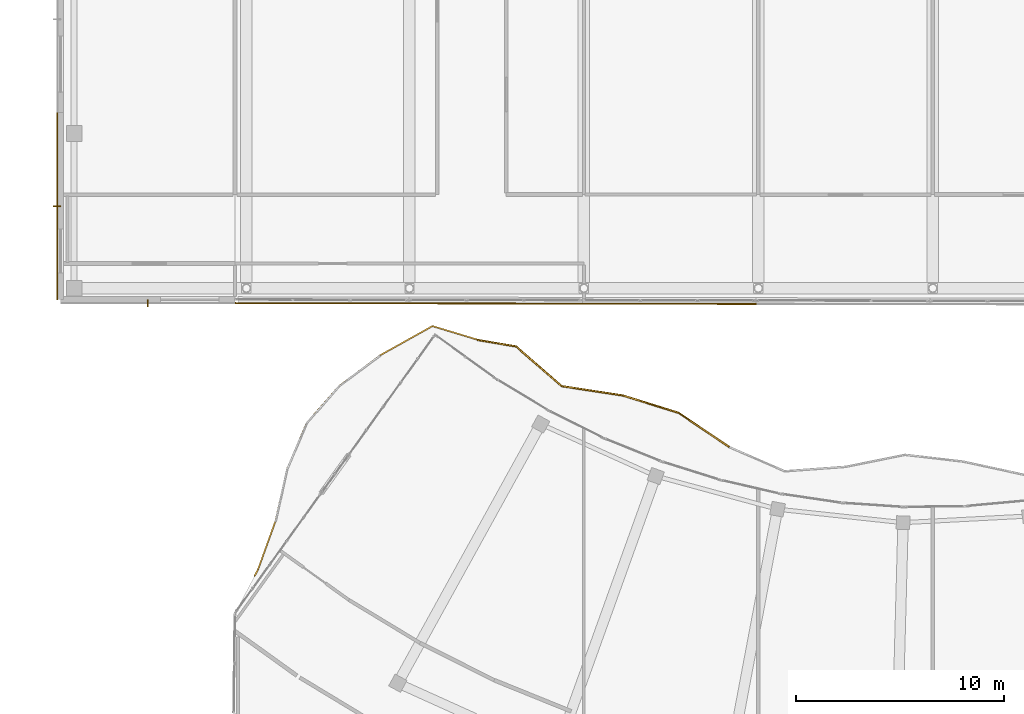
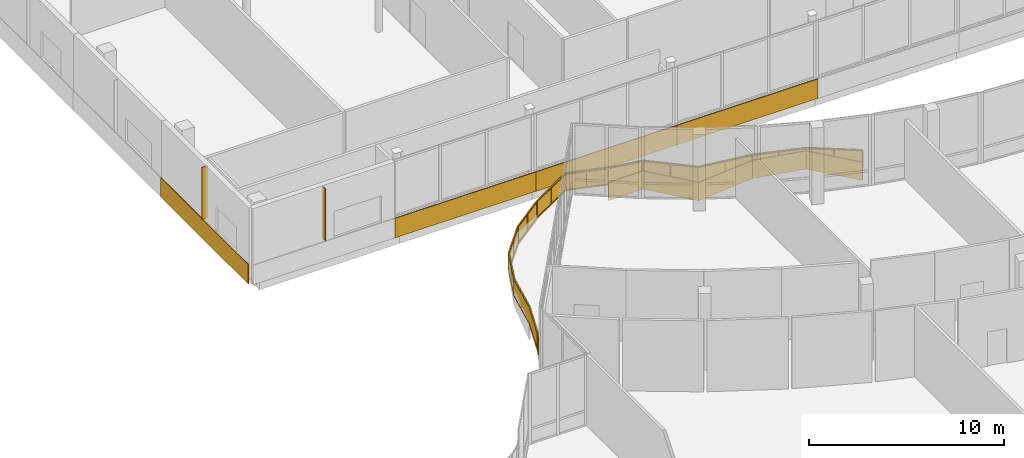
# One storey, part 144 of 155: 9 coverings, 2 shading devices, 1 railing.
"""IFC4 building model written with IfcOpenShell, lengths in metres."""

import ifcopenshell
import ifcopenshell.guid

model = None  # the IFC model being written
_history = None  # IfcOwnerHistory: only IFC2X3 demands one
_inside = {}  # id of a spatial element -> (the spatial element, [elements in it])
_under = {}  # id of a project, library or spatial element -> (it, [spatial elements below it])
_declared = {}  # id of a project -> (the project, [libraries it declares])
_typed = {}  # id of a type object -> (the type object, [elements of that type])
_made_of = {}  # id of a material, layer set ... -> (it, [elements and type objects made of it])


def new_model(schema):
    """Start an empty IFC model of exactly this schema.

    Asked for "IFC4X3", IfcOpenShell would pick the latest addendum, in which some entities
    have other attributes; the version numbers below select the first issue.
    IFC2X3 requires an IfcOwnerHistory on every rooted entity: one is made here for all.
    """
    global model, _history
    if schema == "IFC4X3":
        model = ifcopenshell.file(schema_version=(4, 3, 0, 0))
    else:
        model = ifcopenshell.file(schema=schema)
    _inside.clear()
    _under.clear()
    _declared.clear()
    _typed.clear()
    _made_of.clear()
    _history = None
    if model.schema == "IFC2X3":
        org = make("IfcOrganization", Name="unknown")
        user = make(
            "IfcPersonAndOrganization",
            ThePerson=make("IfcPerson", FamilyName="unknown"),
            TheOrganization=org,
        )
        app = make(
            "IfcApplication",
            ApplicationDeveloper=org,
            Version="unknown",
            ApplicationFullName="unknown",
            ApplicationIdentifier="unknown",
        )
        _history = make(
            "IfcOwnerHistory",
            OwningUser=user,
            OwningApplication=app,
            ChangeAction="ADDED",
            CreationDate=0,
        )
    return model


def make(cls, **values):
    """One entity of the class cls with the attributes given. An attribute that is None is left unset."""
    return model.create_entity(
        cls, **{name: value for name, value in values.items() if value is not None}
    )


def rooted(cls, **values):
    """An entity with a GlobalId (a new one), such as an element, a storey or a relation."""
    return make(cls, GlobalId=ifcopenshell.guid.new(), OwnerHistory=_history, **values)


def si_unit(unit_type, name, prefix=None):
    """IfcSIUnit, for example si_unit("LENGTHUNIT", "METRE", prefix="MILLI")."""
    return make("IfcSIUnit", UnitType=unit_type, Prefix=prefix, Name=name)


def assignment(units):
    """IfcUnitAssignment: the units of a project."""
    return None if units is None else make("IfcUnitAssignment", Units=units)


def point(xyz):
    """IfcCartesianPoint."""
    return None if xyz is None else make("IfcCartesianPoint", Coordinates=xyz)


def direction(xyz):
    """IfcDirection."""
    return None if xyz is None else make("IfcDirection", DirectionRatios=xyz)


def frame(location, z_axis=None, x_axis=None):
    """IfcAxis2Placement3D, a coordinate frame: its origin and axes. An axis left out is left unset."""
    return make(
        "IfcAxis2Placement3D",
        Location=point(location),
        Axis=direction(z_axis),
        RefDirection=direction(x_axis),
    )


def frame_2d(location, x_axis=None):
    """IfcAxis2Placement2D, a coordinate frame in the plane: its origin and x axis."""
    return make(
        "IfcAxis2Placement2D", Location=point(location), RefDirection=direction(x_axis)
    )


def origin():
    """The frame at (0, 0, 0) with its axes left unset."""
    return frame((0.0, 0.0, 0.0))


def origin_2d():
    """The frame at (0, 0) in the plane with its x axis left unset."""
    return frame_2d((0.0, 0.0))


def place(relative_to, where):
    """IfcLocalPlacement: puts the frame where relative to a parent placement (None: the world)."""
    return make(
        "IfcLocalPlacement", PlacementRelTo=relative_to, RelativePlacement=where
    )


def context(
    kind, dimensions, precision=None, world=None, true_north=None, identifier=None
):
    """IfcGeometricRepresentationContext, for example the 3D "Model" context."""
    return make(
        "IfcGeometricRepresentationContext",
        ContextIdentifier=identifier,
        ContextType=kind,
        CoordinateSpaceDimension=dimensions,
        Precision=precision,
        WorldCoordinateSystem=world,
        TrueNorth=true_north,
    )


def subcontext(parent, identifier, kind, view, scale=None):
    """IfcGeometricRepresentationSubContext, for example "Body" below "Model"."""
    return make(
        "IfcGeometricRepresentationSubContext",
        ContextIdentifier=identifier,
        ContextType=kind,
        ParentContext=parent,
        TargetScale=scale,
        TargetView=view,
    )


def project(units=None, contexts=None):
    """IfcProject with its units and contexts."""
    return rooted(
        "IfcProject",
        Name="project",
        RepresentationContexts=contexts,
        UnitsInContext=assignment(units),
    )


def spatial(cls, under=None, at=None, **own):
    """A site, building, storey or space (cls), placed at a placement, below another one or the project."""
    s = rooted(cls, ObjectPlacement=at, **own)
    if under is not None:
        _under.setdefault(under.id(), (under, []))[1].append(s)
    return s


def polyline(points):
    """IfcPolyline through the points."""
    return make("IfcPolyline", Points=[point(p) for p in points])


def profile(cls, at=None, kind="AREA", **sizes):
    """A parametric profile (cls). Its sizes go by their IFC names, for example OverallWidth=200.0."""
    return make(cls, ProfileType=kind, Position=at, **sizes)


def rectangle(**sizes):
    """IfcRectangleProfileDef."""
    return profile("IfcRectangleProfileDef", **sizes)


def outline(outer, holes=None, kind="AREA"):
    """IfcArbitraryClosedProfileDef: a profile drawn as a closed curve; with holes, ...WithVoids."""
    if holes is None:
        return make("IfcArbitraryClosedProfileDef", ProfileType=kind, OuterCurve=outer)
    return make(
        "IfcArbitraryProfileDefWithVoids",
        ProfileType=kind,
        OuterCurve=outer,
        InnerCurves=holes,
    )


def extrude(swept, where, along, depth):
    """IfcExtrudedAreaSolid: the profile swept, set in the frame where, extruded along a direction by depth."""
    return make(
        "IfcExtrudedAreaSolid",
        SweptArea=swept,
        Position=where,
        ExtrudedDirection=direction(along),
        Depth=depth,
    )


def shape(context_of_items, identifier, shape_type, items):
    """IfcShapeRepresentation: the items that make up one representation, for example the "Body"."""
    return make(
        "IfcShapeRepresentation",
        ContextOfItems=context_of_items,
        RepresentationIdentifier=identifier,
        RepresentationType=shape_type,
        Items=items,
    )


def material(Name=None, Category=None):
    """IfcMaterial."""
    return make("IfcMaterial", Name=Name, Category=Category)


def layer(
    of_material, thickness, ventilated=None, Name=None, Category=None, Priority=None
):
    """IfcMaterialLayer: one layer of a wall or slab, of a material (None: an air gap)."""
    return make(
        "IfcMaterialLayer",
        Material=of_material,
        LayerThickness=thickness,
        IsVentilated=ventilated,
        Name=Name,
        Category=Category,
        Priority=Priority,
    )


def layer_set(layers, Name=None):
    """IfcMaterialLayerSet."""
    return make("IfcMaterialLayerSet", MaterialLayers=layers, LayerSetName=Name)


def made_of(thing, what):
    """Note that an element or type object is made of a material, layer set ...; save() writes the relation."""
    if what is not None:
        _made_of.setdefault(what.id(), (what, []))[1].append(thing)
    return thing


def type_object(cls, material=None, **own):
    """A type object (cls), such as IfcWallType, which elements share."""
    return made_of(rooted(cls, **own), material)


def element(
    cls,
    number,
    at=None,
    inside=None,
    cuts=None,
    type_object=None,
    material=None,
    context=None,
    identifier="Body",
    shape_type=None,
    held_by="IfcProductDefinitionShape",
    body=None,
    shapes=None,
    **own,
):
    """One element of the class cls, such as IfcWall. Its Tag is "e" and its number.

    at: its placement. inside: the storey or other place that contains it. cuts: it is an
    opening in that element (IfcRelVoidsElement). A single representation is given by context,
    identifier, shape_type and body (its items); several are given by shapes. held_by: the class
    of the entity that holds the representations. save() writes the other relations.
    """
    e = rooted(cls, Tag="e%d" % number, ObjectPlacement=at, **own)
    if body is not None:
        shapes = [shape(context, identifier, shape_type, body)]
    if shapes is not None:
        e.Representation = make(held_by, Representations=shapes)
    if inside is not None:
        _inside.setdefault(inside.id(), (inside, []))[1].append(e)
    if cuts is not None:
        rooted(
            "IfcRelVoidsElement", RelatingBuildingElement=cuts, RelatedOpeningElement=e
        )
    if type_object is not None:
        _typed.setdefault(type_object.id(), (type_object, []))[1].append(e)
    return made_of(e, material)


def aggregate(whole, parts):
    """IfcRelAggregates: a whole, such as a stair, and the parts it consists of."""
    return rooted("IfcRelAggregates", RelatingObject=whole, RelatedObjects=parts)


def save(model, path):
    """Write the relations noted so far, then the file.

    IfcRelAggregates (storeys below a building ...), IfcRelContainedInSpatialStructure (elements
    in a storey), IfcRelDefinesByType, IfcRelAssociatesMaterial and IfcRelDeclares: one each for
    every whole, place, type object, material and project.
    """
    for whole, parts in _under.values():
        aggregate(whole, parts)
    for where, things in _inside.values():
        rooted(
            "IfcRelContainedInSpatialStructure",
            RelatedElements=things,
            RelatingStructure=where,
        )
    for kind, things in _typed.values():
        rooted("IfcRelDefinesByType", RelatedObjects=things, RelatingType=kind)
    for what, things in _made_of.values():
        rooted("IfcRelAssociatesMaterial", RelatedObjects=things, RelatingMaterial=what)
    for by, libraries in _declared.values():
        rooted("IfcRelDeclares", RelatingContext=by, RelatedDefinitions=libraries)
    model.write(path)


model = new_model("IFC4")

# Units and contexts
model_context = context("Model", 3, precision=1e-05, world=origin(), true_north=direction((0.0, 1.0)))
body_context = subcontext(model_context, "Body", "Model", "MODEL_VIEW")
ifc_project = project(units=[si_unit("LENGTHUNIT", "METRE"), si_unit("AREAUNIT", "SQUARE_METRE"), si_unit("VOLUMEUNIT", "CUBIC_METRE"), si_unit("PLANEANGLEUNIT", "RADIAN"), si_unit("MASSUNIT", "GRAM", prefix="KILO")], contexts=[model_context])

# Site, building, storey
site_placement = place(None, origin())
site = spatial("IfcSite", under=ifc_project, at=site_placement, CompositionType="ELEMENT")
building_placement = place(site_placement, origin())
building = spatial("IfcBuilding", under=site, at=building_placement, Name="Selatvlak General Hospital", CompositionType="ELEMENT")
storey_placement = place(building_placement, frame((0.0, 0.0, 10.199951171875)))
storey = spatial("IfcBuildingStorey", under=building, at=storey_placement, Name="L02", CompositionType="ELEMENT", Elevation=10.199951171875)

# Coverings
ifc_material_1 = material(Name="PVDF aluminium fascia - signal green", Category="aluminium")
ifc_layer_1 = layer(ifc_material_1, 0.070068359375, Name="PVDF aluminium fascia - signal green", Category="aluminium")
ifc_layer_set_1 = layer_set([ifc_layer_1], Name="PVDF aluminium fascia - signal green")
covering_type_1 = type_object("IfcCoveringType", Name="COV-RB-GRN", PredefinedType="CLADDING", material=ifc_layer_set_1)
covering_1_placement = place(storey_placement, frame((36.3310546875, 49.748046875, -0.679931640625), z_axis=(0.0, 0.0, 1.0), x_axis=(-0.986081168389, 0.166264636495, 0.0)))
element("IfcCovering", 1, at=covering_1_placement, inside=storey, type_object=covering_type_1, Name="L02 De Stijl waving fascia streamer 204", PredefinedType="CLADDING", context=body_context, shape_type="SweptSolid", body=[
    extrude(outline(polyline([(0.0, 0.0), (1.888427734375, -0.282958984375), (1.888427734375, 0.85693359375), (0.0, 1.139892578125), (0.0, 0.0)])), frame((0.0, 0.03515625, 0.0), z_axis=(0.0, -1.0, 0.0), x_axis=(1.0, 0.0, 0.0)), (0.0, 0.0, 1.0), 0.070068359375),
])
covering_2_placement = place(storey_placement, frame((46.591064453125, 44.908935546875, -0.806884765625), z_axis=(0.0, 0.0, 1.0), x_axis=(-0.829150923893, 0.55902481645, 0.0)))
element("IfcCovering", 2, at=covering_2_placement, inside=storey, type_object=covering_type_1, Name="L02 De Stijl waving fascia streamer 297", PredefinedType="CLADDING", context=body_context, shape_type="SweptSolid", body=[
    extrude(outline(polyline([(0.0, 0.0), (2.939208984375, 0.578857421875), (2.939208984375, 1.71875), (0.0, 1.139892578125), (0.0, 0.0)])), frame((0.0, 0.03515625, 0.0), z_axis=(0.0, -1.0, 0.0), x_axis=(1.0, 0.0, 0.0)), (0.0, 0.0, 1.0), 0.070068359375),
])
covering_3_placement = place(storey_placement, frame((44.153076171875, 46.552001953125, -0.22802734375), z_axis=(0.0, 0.0, 1.0), x_axis=(-0.954778746238, 0.297317247619, 0.0)))
element("IfcCovering", 3, at=covering_3_placement, inside=storey, type_object=covering_type_1, Name="L02 De Stijl waving fascia streamer 298", PredefinedType="CLADDING", context=body_context, shape_type="SweptSolid", body=[
    extrude(outline(polyline([(0.0, 0.0), (2.8017578125, -0.159912109375), (2.8017578125, 0.97998046875), (0.0, 1.139892578125), (0.0, 0.0)])), frame((0.0, 0.03515625, 0.0), z_axis=(0.0, -1.0, 0.0), x_axis=(1.0, 0.0, 0.0)), (0.0, 0.0, 1.0), 0.070068359375),
])
covering_4_placement = place(storey_placement, frame((41.47705078125, 47.385986328125, -0.387939453125), z_axis=(0.0, 0.0, 1.0), x_axis=(-0.988551770524, 0.150882063195, 0.0)))
element("IfcCovering", 4, at=covering_4_placement, inside=storey, type_object=covering_type_1, Name="L02 De Stijl waving fascia streamer 299", PredefinedType="CLADDING", context=body_context, shape_type="SweptSolid", body=[
    extrude(outline(polyline([(0.0, 0.0), (2.982177734375, -0.637939453125), (2.982177734375, 0.501953125), (0.0, 1.139892578125), (0.0, 0.0)])), frame((0.0, 0.03515625, 0.0), z_axis=(0.0, -1.0, 0.0), x_axis=(1.0, 0.0, 0.0)), (0.0, 0.0, 1.0), 0.070068359375),
])
covering_5_placement = place(storey_placement, frame((38.528076171875, 47.8359375, -1.02587890625), z_axis=(0.0, 0.0, 1.0), x_axis=(-0.754489991452, 0.656311551627, 0.0)))
element("IfcCovering", 5, at=covering_5_placement, inside=storey, type_object=covering_type_1, Name="L02 De Stijl waving fascia streamer 300", PredefinedType="CLADDING", context=body_context, shape_type="SweptSolid", body=[
    extrude(outline(polyline([(0.0, 0.0), (2.911865234375, 0.345947265625), (2.911865234375, 1.48583984375), (0.0, 1.139892578125), (0.0, 0.0)])), frame((0.0, 0.03515625, 0.0), z_axis=(0.0, -1.0, 0.0), x_axis=(1.0, 0.0, 0.0)), (0.0, 0.0, 1.0), 0.070068359375),
])
ifc_material_2 = material(Name="White Bauhaus fair-faced cladding panel")
ifc_layer_2 = layer(ifc_material_2, 0.054931640625, Name="White Bauhaus fair-faced cladding panel")
ifc_layer_set_2 = layer_set([ifc_layer_2], Name="White Bauhaus fair-faced cladding panel")
covering_type_2 = type_object("IfcCoveringType", Name="COV-WHT1", PredefinedType="CLADDING", material=ifc_layer_set_2)
covering_6_placement = place(storey_placement, frame((14.235107421875, 56.5, -0.27978515625), z_axis=(0.0, 0.0, 1.0), x_axis=(0.0, 1.0, 0.0)))
element("IfcCovering", 6, at=covering_6_placement, inside=storey, type_object=covering_type_2, Name="L02 Bauhaus horizontal white spandrel band 0134", PredefinedType="CLADDING", context=body_context, shape_type="SweptSolid", body=[
    extrude(rectangle(XDim=9.0, YDim=0.054931640625, at=origin_2d()), origin(), (0.0, 0.0, 1.0), 1.219970703125),
])
for number, where, z_axis, x_axis, name in (
    (7, (43.714111328125, 51.798095703125, -0.27978515625), (0.0, 0.0, 1.0), (-0.999998384157, 0.001797688161, 0.0), "L02 Bauhaus horizontal white spandrel band 0174"),
    (8, (35.35205078125, 51.81298828125, -0.27978515625), (0.0, 0.0, 1.0), (-0.999998384157, 0.001797688161, 0.0), "L02 Bauhaus horizontal white spandrel band 0175"),
    (9, (26.989990234375, 51.827880859375, -0.27978515625), (0.0, 0.0, 1.0), (-0.999998384157, 0.001797688161, 0.0), "L02 Bauhaus horizontal white spandrel band 0176"),
):
    element("IfcCovering", number, at=place(storey_placement, frame(where, z_axis=z_axis, x_axis=x_axis)), inside=storey, type_object=covering_type_2, Name=name, PredefinedType="CLADDING", context=body_context, shape_type="SweptSolid", body=[
        extrude(rectangle(XDim=8.362060546875, YDim=0.054931640625, at=origin_2d()), origin(), (0.0, 0.0, 1.0), 1.219970703125),
    ])

# Railing
ifc_material_3 = material(Name="Stainless steel 316 safety balustrade", Category="steel")
railing_type = type_object("IfcRailingType", Name="RAIL-BAL1", PredefinedType="BALUSTRADE", material=ifc_material_3)
railing_placement = place(storey_placement, frame((23.74609375, 38.702880859375, 0.0)))
element("IfcRailing", 10, at=railing_placement, inside=storey, type_object=railing_type, Name="L02 continuous curved balcony balustrade 0017", PredefinedType="BALUSTRADE", context=body_context, shape_type="SweptSolid", body=[
    extrude(rectangle(XDim=0.068115234375, YDim=0.068115234375, at=origin_2d()), frame((0.00146484375, 0.002685546875, 1.0859375), z_axis=(0.466004022868, 0.884782600796, 0.0), x_axis=(-0.884782600796, 0.466004022868, 0.0)), (0.0, 0.0, 1.0), 0.345703125),
    extrude(rectangle(XDim=0.068115234375, YDim=0.068115234375, at=origin_2d()), frame((0.00146484375, 0.002685546875, 0.049072265625), z_axis=(0.466004022868, 0.884782600796, 0.0), x_axis=(-0.884782600796, 0.466004022868, 0.0)), (0.0, 0.0, 1.0), 0.345703125),
    extrude(outline(polyline([(0.0, 0.0), (0.339599609375, 0.0), (0.339599609375, 0.94189453125), (0.0, 0.94189453125), (0.0, 0.0)])), frame((-0.01318359375, 0.013671875, 0.0849609375), z_axis=(0.884782600796, -0.466004022868, 0.0), x_axis=(0.466004022868, 0.884782600796, 0.0)), (0.0, 0.0, 1.0), 0.031982421875),
    extrude(rectangle(XDim=0.068115234375, YDim=0.068115234375, at=origin_2d()), frame((0.164794921875, 0.313720703125, 1.0859375), z_axis=(0.339022751122, 0.940778174822, 0.0), x_axis=(-0.940778174822, 0.339022751122, 0.0)), (0.0, 0.0, 1.0), 2.445556640625),
    extrude(rectangle(XDim=0.068115234375, YDim=0.068115234375, at=origin_2d()), frame((0.164794921875, 0.313720703125, 0.049072265625), z_axis=(0.339022751122, 0.940778174822, 0.0), x_axis=(-0.940778174822, 0.339022751122, 0.0)), (0.0, 0.0, 1.0), 2.445556640625),
    extrude(outline(polyline([(0.0, 0.0), (2.439208984375, 0.0), (2.439208984375, 0.94189453125), (0.0, 0.94189453125), (0.0, 0.0)])), frame((0.14892578125, 0.32275390625, 0.0849609375), z_axis=(0.940778174822, -0.339022751122, 0.0), x_axis=(0.339022751122, 0.940778174822, 0.0)), (0.0, 0.0, 1.0), 0.031982421875),
    extrude(rectangle(XDim=0.068115234375, YDim=0.068115234375, at=origin_2d()), frame((0.99560546875, 2.6201171875, 1.0859375), z_axis=(0.2158525458, 0.976425971834, 0.0), x_axis=(-0.976425971834, 0.2158525458, 0.0)), (0.0, 0.0, 1.0), 2.560546875),
    extrude(rectangle(XDim=0.068115234375, YDim=0.068115234375, at=origin_2d()), frame((0.99560546875, 2.6201171875, 0.049072265625), z_axis=(0.2158525458, 0.976425971834, 0.0), x_axis=(-0.976425971834, 0.2158525458, 0.0)), (0.0, 0.0, 1.0), 2.560546875),
    extrude(outline(polyline([(0.0, 0.0), (2.554443359375, 0.0), (2.554443359375, 0.94189453125), (0.0, 0.94189453125), (0.0, 0.0)])), frame((0.978515625, 2.626953125, 0.0849609375), z_axis=(0.976425971834, -0.2158525458, 0.0), x_axis=(0.2158525458, 0.976425971834, 0.0)), (0.0, 0.0, 1.0), 0.031982421875),
    extrude(rectangle(XDim=0.068115234375, YDim=0.068115234375, at=origin_2d()), frame((1.550048828125, 5.125732421875, 1.0859375), z_axis=(0.390101148653, 0.920772009685, 0.0), x_axis=(-0.920772009685, 0.390101148653, 0.0)), (0.0, 0.0, 1.0), 2.411865234375),
    extrude(rectangle(XDim=0.068115234375, YDim=0.068115234375, at=origin_2d()), frame((1.550048828125, 5.125732421875, 0.049072265625), z_axis=(0.390101148653, 0.920772009685, 0.0), x_axis=(-0.920772009685, 0.390101148653, 0.0)), (0.0, 0.0, 1.0), 2.411865234375),
    extrude(outline(polyline([(0.0, 0.0), (2.405517578125, 0.0), (2.405517578125, 0.94189453125), (0.0, 0.94189453125), (0.0, 0.0)])), frame((1.53466796875, 5.135498046875, 0.0849609375), z_axis=(0.920772009685, -0.390101148653, 0.0), x_axis=(0.390101148653, 0.920772009685, 0.0)), (0.0, 0.0, 1.0), 0.031982421875),
    extrude(rectangle(XDim=0.068115234375, YDim=0.068115234375, at=origin_2d()), frame((2.493896484375, 7.351318359375, 1.0859375), z_axis=(0.658263751959, 0.752787375596, 0.0), x_axis=(-0.752787375596, 0.658263751959, 0.0)), (0.0, 0.0, 1.0), 2.362548828125),
    extrude(rectangle(XDim=0.068115234375, YDim=0.068115234375, at=origin_2d()), frame((2.493896484375, 7.351318359375, 0.049072265625), z_axis=(0.658263751959, 0.752787375596, 0.0), x_axis=(-0.752787375596, 0.658263751959, 0.0)), (0.0, 0.0, 1.0), 2.362548828125),
    extrude(outline(polyline([(0.0, 0.0), (2.3564453125, 0.0), (2.3564453125, 0.94189453125), (0.0, 0.94189453125), (0.0, 0.0)])), frame((2.482421875, 7.365478515625, 0.0849609375), z_axis=(0.752787375596, -0.658263751959, 0.0), x_axis=(0.658263751959, 0.752787375596, 0.0)), (0.0, 0.0, 1.0), 0.031982421875),
    extrude(rectangle(XDim=0.068115234375, YDim=0.068115234375, at=origin_2d()), frame((4.053466796875, 9.1337890625, 1.0859375), z_axis=(0.800462194574, 0.59938324556, 0.0), x_axis=(-0.59938324556, 0.800462194574, 0.0)), (0.0, 0.0, 1.0), 2.46484375),
    extrude(rectangle(XDim=0.068115234375, YDim=0.068115234375, at=origin_2d()), frame((4.053466796875, 9.1337890625, 0.049072265625), z_axis=(0.800462194574, 0.59938324556, 0.0), x_axis=(-0.59938324556, 0.800462194574, 0.0)), (0.0, 0.0, 1.0), 2.46484375),
    extrude(outline(polyline([(0.0, 0.0), (2.458740234375, 0.0), (2.458740234375, 0.94189453125), (0.0, 0.94189453125), (0.0, 0.0)])), frame((4.044921875, 9.150146484375, 0.0849609375), z_axis=(0.59938324556, -0.800462194574, 0.0), x_axis=(0.800462194574, 0.59938324556, 0.0)), (0.0, 0.0, 1.0), 0.031982421875),
    extrude(rectangle(XDim=0.068115234375, YDim=0.068115234375, at=origin_2d()), frame((6.03125, 10.614501953125, 1.0859375), z_axis=(0.873214367441, 0.487336299176, 0.0), x_axis=(-0.487336299176, 0.873214367441, 0.0)), (0.0, 0.0, 1.0), 2.893798828125),
    extrude(rectangle(XDim=0.068115234375, YDim=0.068115234375, at=origin_2d()), frame((6.03125, 10.614501953125, 0.049072265625), z_axis=(0.873214367441, 0.487336299176, 0.0), x_axis=(-0.487336299176, 0.873214367441, 0.0)), (0.0, 0.0, 1.0), 2.893798828125),
    extrude(outline(polyline([(0.0, 0.0), (2.8876953125, 0.0), (2.8876953125, 0.94189453125), (0.0, 0.94189453125), (0.0, 0.0)])), frame((6.025390625, 10.631591796875, 0.0849609375), z_axis=(0.487336299176, -0.873214367441, 0.0), x_axis=(0.873214367441, 0.487336299176, 0.0)), (0.0, 0.0, 1.0), 0.031982421875),
    extrude(rectangle(XDim=0.068115234375, YDim=0.068115234375, at=origin_2d()), frame((8.5634765625, 12.025390625, 1.0859375), z_axis=(0.957341765068, -0.288958033038, 0.0), x_axis=(0.288958033038, 0.957341765068, 0.0)), (0.0, 0.0, 1.0), 2.260986328125),
    extrude(rectangle(XDim=0.068115234375, YDim=0.068115234375, at=origin_2d()), frame((8.5634765625, 12.025390625, 0.049072265625), z_axis=(0.957341765068, -0.288958033038, 0.0), x_axis=(0.288958033038, 0.957341765068, 0.0)), (0.0, 0.0, 1.0), 2.260986328125),
    extrude(outline(polyline([(0.0, 0.0), (2.2548828125, 0.0), (2.2548828125, 0.94189453125), (0.0, 0.94189453125), (0.0, 0.0)])), frame((8.57177734375, 12.04150390625, 0.0849609375), z_axis=(-0.288958033038, -0.957341765068, 0.0), x_axis=(0.957341765068, -0.288958033038, 0.0)), (0.0, 0.0, 1.0), 0.031982421875),
    extrude(rectangle(XDim=0.068115234375, YDim=0.068115234375, at=origin_2d()), frame((10.73388671875, 11.37060546875, 1.0859375), z_axis=(0.986081168389, -0.166264636495, 0.0), x_axis=(0.166264636495, 0.986081168389, 0.0)), (0.0, 0.0, 1.0), 1.882568359375),
    extrude(rectangle(XDim=0.068115234375, YDim=0.068115234375, at=origin_2d()), frame((10.73388671875, 11.37060546875, 0.049072265625), z_axis=(0.986081168389, -0.166264636495, 0.0), x_axis=(0.166264636495, 0.986081168389, 0.0)), (0.0, 0.0, 1.0), 1.882568359375),
    extrude(outline(polyline([(0.0, 0.0), (1.87646484375, 0.0), (1.87646484375, 0.94189453125), (0.0, 0.94189453125), (0.0, 0.0)])), frame((10.73974609375, 11.387939453125, 0.0849609375), z_axis=(-0.166264636495, -0.986081168389, 0.0), x_axis=(0.986081168389, -0.166264636495, 0.0)), (0.0, 0.0, 1.0), 0.031982421875),
    extrude(rectangle(XDim=0.068115234375, YDim=0.068115234375, at=origin_2d()), frame((12.59521484375, 11.05517578125, 1.0859375), z_axis=(0.754495394449, -0.656305340337, 0.0), x_axis=(0.656305340337, 0.754495394449, 0.0)), (0.0, 0.0, 1.0), 2.90576171875),
    extrude(rectangle(XDim=0.068115234375, YDim=0.068115234375, at=origin_2d()), frame((12.59521484375, 11.05517578125, 0.049072265625), z_axis=(0.754495394449, -0.656305340337, 0.0), x_axis=(0.656305340337, 0.754495394449, 0.0)), (0.0, 0.0, 1.0), 2.90576171875),
    extrude(outline(polyline([(0.0, 0.0), (2.899658203125, 0.0), (2.899658203125, 0.94189453125), (0.0, 0.94189453125), (0.0, 0.0)])), frame((12.609375, 11.066650390625, 0.0849609375), z_axis=(-0.656305340337, -0.754495394449, 0.0), x_axis=(0.754495394449, -0.656305340337, 0.0)), (0.0, 0.0, 1.0), 0.031982421875),
    extrude(rectangle(XDim=0.068115234375, YDim=0.068115234375, at=origin_2d()), frame((14.792724609375, 9.145751953125, 1.0859375), z_axis=(0.988539556492, -0.150962065604, 0.0), x_axis=(0.150962065604, 0.988539556492, 0.0)), (0.0, 0.0, 1.0), 2.976318359375),
    extrude(rectangle(XDim=0.068115234375, YDim=0.068115234375, at=origin_2d()), frame((14.792724609375, 9.145751953125, 0.049072265625), z_axis=(0.988539556492, -0.150962065604, 0.0), x_axis=(0.150962065604, 0.988539556492, 0.0)), (0.0, 0.0, 1.0), 2.976318359375),
    extrude(outline(polyline([(0.0, 0.0), (2.97021484375, 0.0), (2.97021484375, 0.94189453125), (0.0, 0.94189453125), (0.0, 0.0)])), frame((14.79833984375, 9.1630859375, 0.0849609375), z_axis=(-0.150962065604, -0.988539556492, 0.0), x_axis=(0.988539556492, -0.150962065604, 0.0)), (0.0, 0.0, 1.0), 0.031982421875),
    extrude(rectangle(XDim=0.068115234375, YDim=0.068115234375, at=origin_2d()), frame((17.740478515625, 8.695068359375, 1.0859375), z_axis=(0.954778746238, -0.297317247619, 0.0), x_axis=(0.297317247619, 0.954778746238, 0.0)), (0.0, 0.0, 1.0), 2.7958984375),
    extrude(rectangle(XDim=0.068115234375, YDim=0.068115234375, at=origin_2d()), frame((17.740478515625, 8.695068359375, 0.049072265625), z_axis=(0.954778746238, -0.297317247619, 0.0), x_axis=(0.297317247619, 0.954778746238, 0.0)), (0.0, 0.0, 1.0), 2.7958984375),
    extrude(outline(polyline([(0.0, 0.0), (2.789794921875, 0.0), (2.789794921875, 0.94189453125), (0.0, 0.94189453125), (0.0, 0.0)])), frame((17.748779296875, 8.71142578125, 0.0849609375), z_axis=(-0.297317247619, -0.954778746238, 0.0), x_axis=(0.954778746238, -0.297317247619, 0.0)), (0.0, 0.0, 1.0), 0.031982421875),
    extrude(rectangle(XDim=0.068115234375, YDim=0.068115234375, at=origin_2d()), frame((20.415283203125, 7.861328125, 1.0859375), z_axis=(0.829189425485, -0.55896770628, 0.0), x_axis=(0.55896770628, 0.829189425485, 0.0)), (0.0, 0.0, 1.0), 2.93310546875),
    extrude(rectangle(XDim=0.068115234375, YDim=0.068115234375, at=origin_2d()), frame((20.415283203125, 7.861328125, 0.049072265625), z_axis=(0.829189425485, -0.55896770628, 0.0), x_axis=(0.55896770628, 0.829189425485, 0.0)), (0.0, 0.0, 1.0), 2.93310546875),
    extrude(outline(polyline([(0.0, 0.0), (2.927001953125, 0.0), (2.927001953125, 0.94189453125), (0.0, 0.94189453125), (0.0, 0.0)])), frame((20.427978515625, 7.87451171875, 0.0849609375), z_axis=(-0.55896770628, -0.829189425485, 0.0), x_axis=(0.829189425485, -0.55896770628, 0.0)), (0.0, 0.0, 1.0), 0.031982421875),
    extrude(rectangle(XDim=0.055908203125, YDim=0.055908203125, at=origin_2d()), origin(), (0.0, 0.0, 1.0), 1.049072265625),
    extrude(rectangle(XDim=0.055908203125, YDim=0.055908203125, at=origin_2d()), frame((0.163818359375, 0.31103515625, 0.0)), (0.0, 0.0, 1.0), 1.049072265625),
    extrude(rectangle(XDim=0.055908203125, YDim=0.055908203125, at=origin_2d()), frame((0.579345703125, 1.464111328125, 0.0)), (0.0, 0.0, 1.0), 1.049072265625),
    extrude(rectangle(XDim=0.055908203125, YDim=0.055908203125, at=origin_2d()), frame((0.994873046875, 2.6171875, 0.0)), (0.0, 0.0, 1.0), 1.049072265625),
    extrude(rectangle(XDim=0.055908203125, YDim=0.055908203125, at=origin_2d()), frame((1.27197265625, 3.8701171875, 0.0)), (0.0, 0.0, 1.0), 1.049072265625),
    extrude(rectangle(XDim=0.055908203125, YDim=0.055908203125, at=origin_2d()), frame((1.548828125, 5.123046875, 0.0)), (0.0, 0.0, 1.0), 1.049072265625),
    extrude(rectangle(XDim=0.055908203125, YDim=0.055908203125, at=origin_2d()), frame((2.0205078125, 6.236083984375, 0.0)), (0.0, 0.0, 1.0), 1.049072265625),
    extrude(rectangle(XDim=0.055908203125, YDim=0.055908203125, at=origin_2d()), frame((2.491943359375, 7.34912109375, 0.0)), (0.0, 0.0, 1.0), 1.049072265625),
    extrude(rectangle(XDim=0.055908203125, YDim=0.055908203125, at=origin_2d()), frame((3.271484375, 8.24072265625, 0.0)), (0.0, 0.0, 1.0), 1.049072265625),
    extrude(rectangle(XDim=0.055908203125, YDim=0.055908203125, at=origin_2d()), frame((4.051025390625, 9.132080078125, 0.0)), (0.0, 0.0, 1.0), 1.049072265625),
    extrude(rectangle(XDim=0.055908203125, YDim=0.055908203125, at=origin_2d()), frame((5.0400390625, 9.87255859375, 0.0)), (0.0, 0.0, 1.0), 1.049072265625),
    extrude(rectangle(XDim=0.055908203125, YDim=0.055908203125, at=origin_2d()), frame((6.02880859375, 10.613037109375, 0.0)), (0.0, 0.0, 1.0), 1.049072265625),
    extrude(rectangle(XDim=0.055908203125, YDim=0.055908203125, at=origin_2d()), frame((7.294921875, 11.319580078125, 0.0)), (0.0, 0.0, 1.0), 1.049072265625),
    extrude(rectangle(XDim=0.055908203125, YDim=0.055908203125, at=origin_2d()), frame((8.560791015625, 12.026123046875, 0.0)), (0.0, 0.0, 1.0), 1.049072265625),
    extrude(rectangle(XDim=0.055908203125, YDim=0.055908203125, at=origin_2d()), frame((9.64599609375, 11.69873046875, 0.0)), (0.0, 0.0, 1.0), 1.049072265625),
    extrude(rectangle(XDim=0.055908203125, YDim=0.055908203125, at=origin_2d()), frame((10.73095703125, 11.37109375, 0.0)), (0.0, 0.0, 1.0), 1.049072265625),
    extrude(rectangle(XDim=0.055908203125, YDim=0.055908203125, at=origin_2d()), frame((12.593017578125, 11.05712890625, 0.0)), (0.0, 0.0, 1.0), 1.049072265625),
    extrude(rectangle(XDim=0.055908203125, YDim=0.055908203125, at=origin_2d()), frame((13.69140625, 10.1015625, 0.0)), (0.0, 0.0, 1.0), 1.049072265625),
    extrude(rectangle(XDim=0.055908203125, YDim=0.055908203125, at=origin_2d()), frame((14.789794921875, 9.146240234375, 0.0)), (0.0, 0.0, 1.0), 1.049072265625),
    extrude(rectangle(XDim=0.055908203125, YDim=0.055908203125, at=origin_2d()), frame((16.263671875, 8.921142578125, 0.0)), (0.0, 0.0, 1.0), 1.049072265625),
    extrude(rectangle(XDim=0.055908203125, YDim=0.055908203125, at=origin_2d()), frame((17.73779296875, 8.696044921875, 0.0)), (0.0, 0.0, 1.0), 1.049072265625),
    extrude(rectangle(XDim=0.055908203125, YDim=0.055908203125, at=origin_2d()), frame((19.0751953125, 8.279541015625, 0.0)), (0.0, 0.0, 1.0), 1.049072265625),
    extrude(rectangle(XDim=0.055908203125, YDim=0.055908203125, at=origin_2d()), frame((20.412841796875, 7.863037109375, 0.0)), (0.0, 0.0, 1.0), 1.049072265625),
    extrude(rectangle(XDim=0.055908203125, YDim=0.055908203125, at=origin_2d()), frame((21.63134765625, 7.04150390625, 0.0)), (0.0, 0.0, 1.0), 1.049072265625),
    extrude(rectangle(XDim=0.055908203125, YDim=0.055908203125, at=origin_2d()), frame((22.849853515625, 6.22021484375, 0.0)), (0.0, 0.0, 1.0), 1.049072265625),
])

# Shading devices
ifc_material_4 = material(Name="Anodised aluminium brise-soleil fin", Category="aluminium")
ifc_layer_3 = layer(ifc_material_4, 0.044921875, Name="Anodised aluminium brise-soleil fin", Category="aluminium")
ifc_layer_set_3 = layer_set([ifc_layer_3], Name="Anodised aluminium brise-soleil fin")
shading_device_type = type_object("IfcShadingDeviceType", Name="SHD-FIN1", PredefinedType="USERDEFINED", material=ifc_layer_set_3)
for number, where, z_axis, x_axis, name in (
    (11, (14.22802734375, 56.5, 1.10009765625), (0.0, 0.0, 1.0), (-1.0, 0.0, 0.0), "L02 monsoon vertical brise-soleil fin 283"),
    (12, (18.60498046875, 51.827880859375, 1.10009765625), (0.0, 0.0, 1.0), (0.0, -1.0, 0.0), "L02 monsoon vertical brise-soleil fin 323"),
):
    element("IfcShadingDevice", number, at=place(storey_placement, frame(where, z_axis=z_axis, x_axis=x_axis)), inside=storey, type_object=shading_device_type, Name=name, ObjectType="SUNSHADE", PredefinedType="USERDEFINED", context=body_context, shape_type="SweptSolid", body=[
        extrude(rectangle(XDim=0.35009765625, YDim=0.044921875, at=origin_2d()), origin(), (0.0, 0.0, 1.0), 3.260009765625),
    ])

save(model, "model.ifc")
